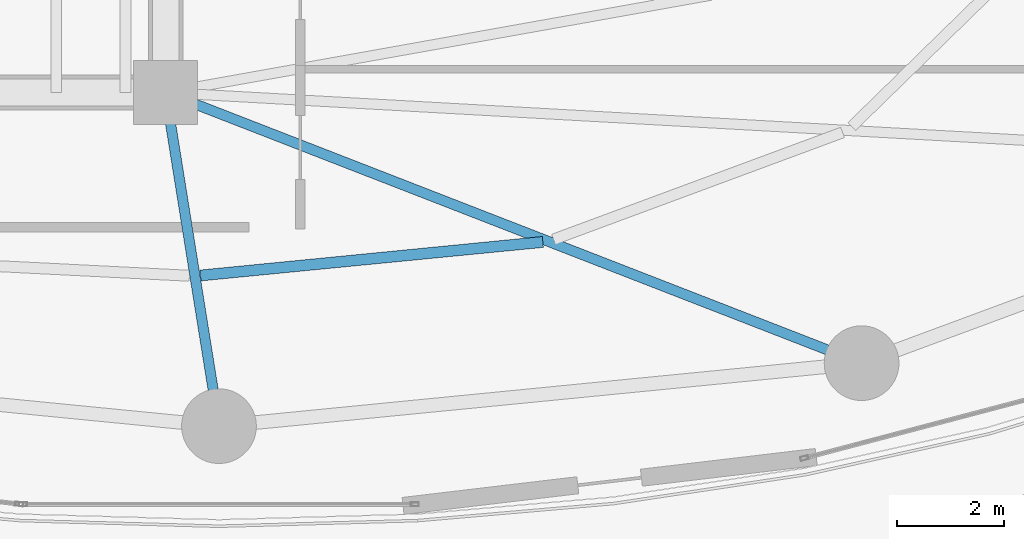
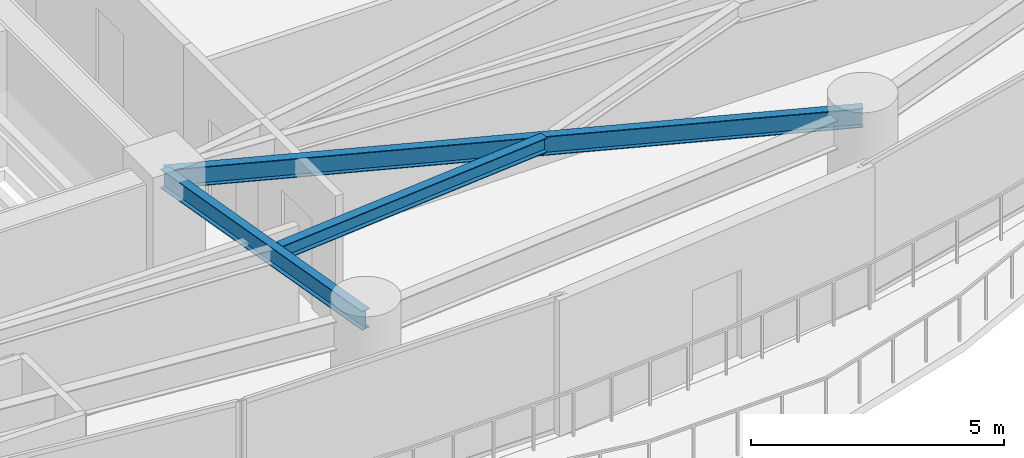
# One storey, part 11 of 30: 3 beams.
"""IFC4 building model written with IfcOpenShell, lengths in metres."""

from ifc_helpers import new_model, si_unit, direction, frame, origin, origin_2d, place, context, subcontext, project, spatial, i_section, extrude, material, material_profile, profile_set, type_object, element, save


model = new_model("IFC4")

# Units and contexts
model_context = context("Model", 3, precision=1e-05, world=origin(), true_north=direction((0.0, 1.0)))
body_context = subcontext(model_context, "Body", "Model", "MODEL_VIEW")
ifc_project = project(units=[si_unit("LENGTHUNIT", "METRE"), si_unit("AREAUNIT", "SQUARE_METRE"), si_unit("VOLUMEUNIT", "CUBIC_METRE"), si_unit("PLANEANGLEUNIT", "RADIAN"), si_unit("MASSUNIT", "GRAM", prefix="KILO")], contexts=[model_context])

# Site, building, storey
site_placement = place(None, origin())
site = spatial("IfcSite", under=ifc_project, at=site_placement, CompositionType="ELEMENT")
building_placement = place(site_placement, origin())
building = spatial("IfcBuilding", under=site, at=building_placement, Name="Kazevale Care Tower and Concert Hall", CompositionType="ELEMENT")
storey_placement = place(building_placement, frame((0.0, 0.0, 88.800048828125)))
storey = spatial("IfcBuildingStorey", under=building, at=storey_placement, Name="L23", CompositionType="ELEMENT", Elevation=88.800048828125)

# Beams
ifc_material = material(Name="Steel ASTM A572 Gr 50", Category="steel")
ifc_material_profile_1 = material_profile(ifc_material, i_section(OverallWidth=0.19091796875, OverallDepth=0.4599609375, WebThickness=0.010009765625, FlangeThickness=0.01611328125, at=origin_2d()), Name="W460x82")
ifc_profile_set_1 = profile_set([ifc_material_profile_1], Name="Steel ASTM A572 Gr 50")
beam_type_1 = type_object("IfcBeamType", Name="Radial Floor Beam W460x82", PredefinedType="BEAM", material=ifc_profile_set_1)
beam_1_placement = place(storey_placement, frame((44.0, 23.60009765625, 3.050048828125), z_axis=(0.157990501107, -0.987440631917, 0.0), x_axis=(0.987440631917, 0.157990501107, 0.0)))
element("IfcBeam", 1, at=beam_1_placement, inside=storey, type_object=beam_type_1, Name="beam:L23:rad:13", PredefinedType="BEAM", context=body_context, shape_type="SweptSolid", body=[
    extrude(i_section(OverallWidth=0.19091796875, OverallDepth=0.4599609375, WebThickness=0.010009765625, FlangeThickness=0.01611328125, at=origin_2d()), origin(), (0.0, 0.0, 1.0), 6.32958984375),
])
beam_2_placement = place(storey_placement, frame((44.0, 23.60009765625, 3.050048828125), z_axis=(0.932030212407, -0.362380577792, 0.0), x_axis=(0.362380577792, 0.932030212407, 0.0)))
element("IfcBeam", 2, at=beam_2_placement, inside=storey, type_object=beam_type_1, Name="beam:L23:rad:14", PredefinedType="BEAM", context=body_context, shape_type="SweptSolid", body=[
    extrude(i_section(OverallWidth=0.19091796875, OverallDepth=0.4599609375, WebThickness=0.010009765625, FlangeThickness=0.01611328125, at=origin_2d()), origin(), (0.0, 0.0, 1.0), 13.990966796875),
])
ifc_material_profile_2 = material_profile(ifc_material, i_section(OverallWidth=0.205078125, OverallDepth=0.35400390625, WebThickness=0.009521484375, FlangeThickness=0.016845703125, at=origin_2d()), Name="W360x79")
ifc_profile_set_2 = profile_set([ifc_material_profile_2], Name="Steel ASTM A572 Gr 50")
beam_type_2 = type_object("IfcBeamType", Name="Secondary Floor Joist W360x79", PredefinedType="JOIST", material=ifc_profile_set_2)
beam_3_placement = place(storey_placement, frame((44.654052734375, 20.173095703125, 3.10302734375), z_axis=(0.995242075791, 0.097433108212, 0.0), x_axis=(-0.097433108212, 0.995242075791, 0.0)))
element("IfcBeam", 3, at=beam_3_placement, inside=storey, type_object=beam_type_2, Name="beam:L23:joist:13", PredefinedType="JOIST", context=body_context, shape_type="SweptSolid", body=[
    extrude(i_section(OverallWidth=0.205078125, OverallDepth=0.35400390625, WebThickness=0.009521484375, FlangeThickness=0.016845703125, at=origin_2d()), origin(), (0.0, 0.0, 1.0), 6.44482421875),
])

save(model, "model.ifc")
